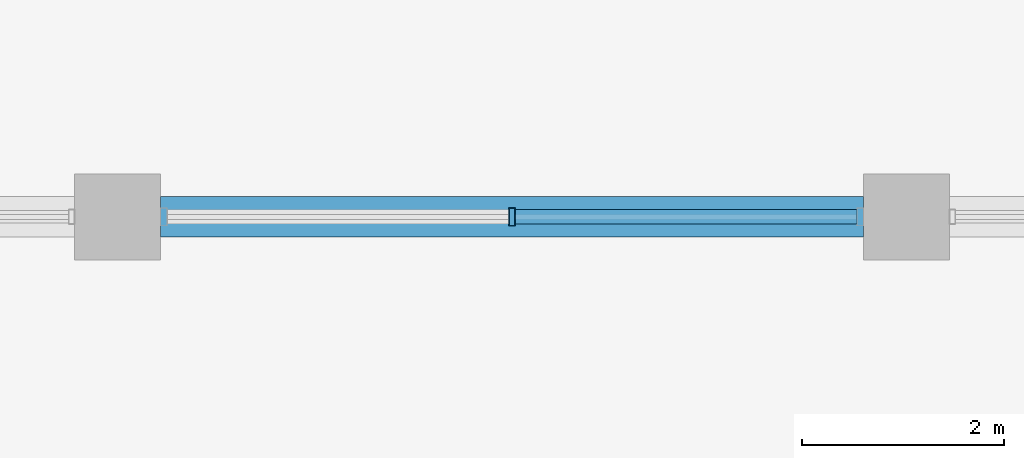
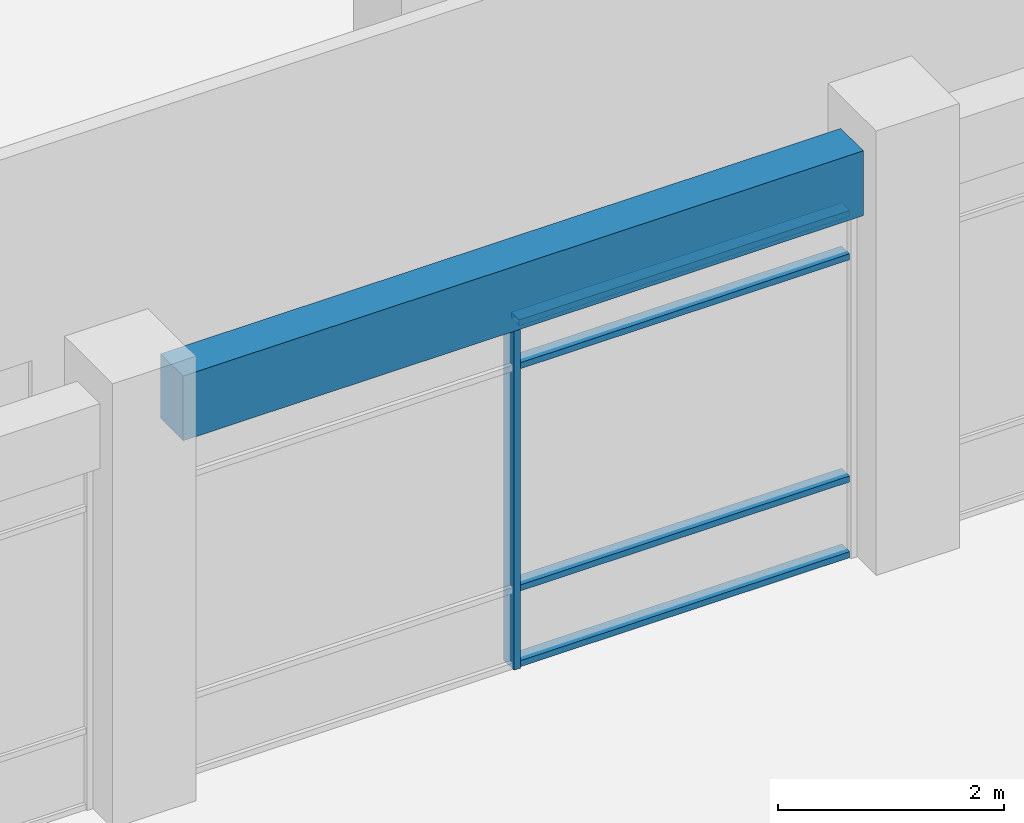
# One storey, part 27 of 74: 5 members, 1 beam, 1 element without a shape of its own.
"""IFC4 building model written with IfcOpenShell, lengths in metres."""

from ifc_helpers import new_model, si_unit, direction, frame, origin, origin_2d, place, context, subcontext, project, spatial, rectangle, hollow_rectangle, extrude, material, material_profile, profile_set, type_object, element, aggregate, save


model = new_model("IFC4")

# Units and contexts
model_context = context("Model", 3, precision=1e-05, world=origin(), true_north=direction((0.0, 1.0)))
body_context = subcontext(model_context, "Body", "Model", "MODEL_VIEW")
ifc_project = project(units=[si_unit("LENGTHUNIT", "METRE"), si_unit("AREAUNIT", "SQUARE_METRE"), si_unit("VOLUMEUNIT", "CUBIC_METRE"), si_unit("PLANEANGLEUNIT", "RADIAN"), si_unit("MASSUNIT", "GRAM", prefix="KILO"), si_unit("THERMODYNAMICTEMPERATUREUNIT", "KELVIN"), si_unit("POWERUNIT", "WATT")], contexts=[model_context])

# Site, building, storey
site_placement = place(None, origin())
site = spatial("IfcSite", under=ifc_project, at=site_placement, CompositionType="ELEMENT")
building_placement = place(site_placement, origin())
building = spatial("IfcBuilding", under=site, at=building_placement, Name="Srebrne Nadtorze General Hospital", CompositionType="ELEMENT")
storey_placement = place(building_placement, origin())
storey = spatial("IfcBuildingStorey", under=building, at=storey_placement, Name="L00", CompositionType="ELEMENT", Elevation=0.0)

# Curtain wall, members
ifc_material_1 = material(Name="Anodised Aluminium", Category="aluminium")
curtain_wall_type = type_object("IfcCurtainWallType", Name="Unitised curtain wall 6950x3750", PredefinedType="NOTDEFINED", material=ifc_material_1)
curtain_wall_placement = place(storey_placement, origin())
curtain_wall = element("IfcCurtainWall", 1, at=curtain_wall_placement, inside=storey, type_object=curtain_wall_type, Name="Curtain wall CW-017", PredefinedType="NOTDEFINED")
ifc_material_2 = material(Name="Anodised Aluminium", Category="aluminium")
ifc_material_profile_1 = material_profile(ifc_material_2, hollow_rectangle(XDim=0.06494140625, YDim=0.179931640625, WallThickness=0.00390625, at=origin_2d()), Name="AL-MUL-65x180")
ifc_profile_set_1 = profile_set([ifc_material_profile_1], Name="Anodised Aluminium")
member_type_1 = type_object("IfcMemberType", Name="Curtain mullion 65x180", PredefinedType="MULLION", material=ifc_profile_set_1)
member_1_placement = place(storey_placement, frame((89.699951171875, 50.39990234375, 0.0), z_axis=(0.0, 0.0, 1.0), x_axis=(1.0, 0.0, 0.0)))
member_1 = element("IfcMember", 2, at=member_1_placement, type_object=member_type_1, Name="CW-017 mullion 2", PredefinedType="MULLION", context=body_context, shape_type="SweptSolid", body=[
    extrude(hollow_rectangle(XDim=0.06494140625, YDim=0.179931640625, WallThickness=0.00390625, at=origin_2d()), origin(), (0.0, 0.0, 1.0), 3.75),
])
ifc_material_3 = material(Name="Anodised Aluminium", Category="aluminium")
ifc_material_profile_2 = material_profile(ifc_material_3, hollow_rectangle(XDim=0.06494140625, YDim=0.139892578125, WallThickness=0.00390625, at=origin_2d()), Name="AL-TRN-65x140")
ifc_profile_set_2 = profile_set([ifc_material_profile_2], Name="Anodised Aluminium")
member_type_2 = type_object("IfcMemberType", Name="Curtain transom 65x140", PredefinedType="USERDEFINED", material=ifc_profile_set_2)
member_2_placement = place(storey_placement, frame((89.732421875, 50.39990234375, 0.032470703125), z_axis=(1.0, 0.0, 0.0), x_axis=(0.0, 0.0, 1.0)))
member_2 = element("IfcMember", 3, at=member_2_placement, type_object=member_type_2, Name="CW-017 transom 2.1", ObjectType="TRANSOM", PredefinedType="USERDEFINED", context=body_context, shape_type="SweptSolid", body=[
    extrude(hollow_rectangle(XDim=0.06494140625, YDim=0.139892578125, WallThickness=0.00390625, at=origin_2d()), origin(), (0.0, 0.0, 1.0), 3.377685546875),
])
member_3_placement = place(storey_placement, frame((89.732421875, 50.39990234375, 0.85009765625), z_axis=(1.0, 0.0, 0.0), x_axis=(0.0, 0.0, 1.0)))
member_3 = element("IfcMember", 4, at=member_3_placement, type_object=member_type_2, Name="CW-017 transom 2.2", ObjectType="TRANSOM", PredefinedType="USERDEFINED", context=body_context, shape_type="SweptSolid", body=[
    extrude(hollow_rectangle(XDim=0.06494140625, YDim=0.139892578125, WallThickness=0.00390625, at=origin_2d()), origin(), (0.0, 0.0, 1.0), 3.377685546875),
])
member_4_placement = place(storey_placement, frame((89.732421875, 50.39990234375, 3.25), z_axis=(1.0, 0.0, 0.0), x_axis=(0.0, 0.0, 1.0)))
member_4 = element("IfcMember", 5, at=member_4_placement, type_object=member_type_2, Name="CW-017 transom 2.3", ObjectType="TRANSOM", PredefinedType="USERDEFINED", context=body_context, shape_type="SweptSolid", body=[
    extrude(hollow_rectangle(XDim=0.06494140625, YDim=0.139892578125, WallThickness=0.00390625, at=origin_2d()), origin(), (0.0, 0.0, 1.0), 3.377685546875),
])
member_5_placement = place(storey_placement, frame((89.732421875, 50.39990234375, 3.717529296875), z_axis=(1.0, 0.0, 0.0), x_axis=(0.0, 0.0, 1.0)))
member_5 = element("IfcMember", 6, at=member_5_placement, type_object=member_type_2, Name="CW-017 transom 2.4", ObjectType="TRANSOM", PredefinedType="USERDEFINED", context=body_context, shape_type="SweptSolid", body=[
    extrude(hollow_rectangle(XDim=0.06494140625, YDim=0.139892578125, WallThickness=0.00390625, at=origin_2d()), origin(), (0.0, 0.0, 1.0), 3.377685546875),
])
aggregate(curtain_wall, [member_1, member_2, member_3, member_4, member_5])

# Beam
ifc_material_4 = material(Name="Concrete C40/50", Category="concrete")
ifc_material_profile_3 = material_profile(ifc_material_4, rectangle(XDim=0.39990234375, YDim=0.699951171875, at=origin_2d()), Name="RC-BM-400x700")
ifc_profile_set_3 = profile_set([ifc_material_profile_3], Name="Concrete C40/50")
beam_type = type_object("IfcBeamType", Name="Edge beam RC 400x700", PredefinedType="BEAM", material=ifc_profile_set_3)
beam_placement = place(storey_placement, frame((86.22509765625, 50.39990234375, 4.10009765625), z_axis=(1.0, 0.0, 0.0), x_axis=(0.0, 1.0, 0.0)))
element("IfcBeam", 7, at=beam_placement, inside=storey, type_object=beam_type, Name="Beam BM-L00-X-0231", PredefinedType="BEAM", context=body_context, shape_type="SweptSolid", body=[
    extrude(rectangle(XDim=0.39990234375, YDim=0.699951171875, at=origin_2d()), origin(), (0.0, 0.0, 1.0), 6.949951171875),
])

save(model, "model.ifc")
